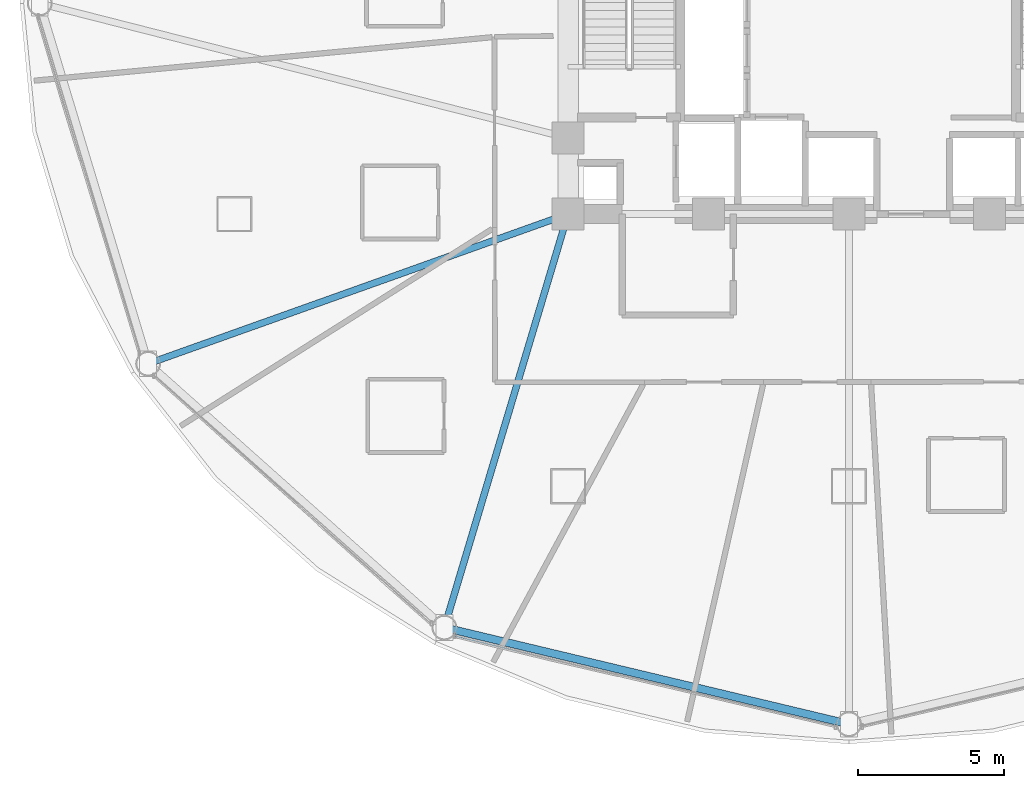
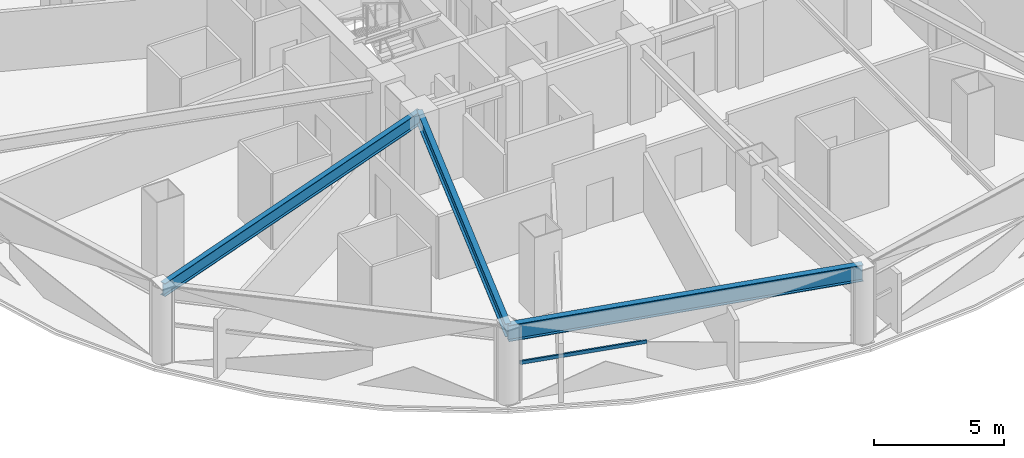
# One storey, part 3 of 33: 3 beams, 1 member, 1 element without a shape of its own.
"""IFC4 building model written with IfcOpenShell, lengths in metres."""

from ifc_helpers import new_model, si_unit, direction, frame, origin, origin_2d, place, context, subcontext, project, spatial, hollow_rectangle, i_section, extrude, material, layer, layer_set, material_profile, profile_set, type_object, element, aggregate, save


model = new_model("IFC4")

# Units and contexts
model_context = context("Model", 3, precision=1e-05, world=origin(), true_north=direction((0.0, 1.0)))
body_context = subcontext(model_context, "Body", "Model", "MODEL_VIEW")
ifc_project = project(units=[si_unit("LENGTHUNIT", "METRE"), si_unit("AREAUNIT", "SQUARE_METRE"), si_unit("VOLUMEUNIT", "CUBIC_METRE"), si_unit("PLANEANGLEUNIT", "RADIAN"), si_unit("MASSUNIT", "GRAM", prefix="KILO")], contexts=[model_context])

# Site, building, storey
site_placement = place(None, origin())
site = spatial("IfcSite", under=ifc_project, at=site_placement, CompositionType="ELEMENT")
building_placement = place(site_placement, origin())
building = spatial("IfcBuilding", under=site, at=building_placement, Name="Vantalir Tower", CompositionType="ELEMENT")
storey_placement = place(building_placement, frame((0.0, 0.0, 68.25)))
storey = spatial("IfcBuildingStorey", under=building, at=storey_placement, Name="L16", CompositionType="ELEMENT", Elevation=68.25)

# Beams
ifc_material_1 = material(Name="Steel S355", Category="steel")
ifc_material_profile_1 = material_profile(ifc_material_1, i_section(OverallWidth=0.22998046875, OverallDepth=0.616943359375, WebThickness=0.01318359375, FlangeThickness=0.022216796875, at=origin_2d()), Name="Steel S355")
ifc_profile_set_1 = profile_set([ifc_material_profile_1], Name="Steel S355")
beam_type_1 = type_object("IfcBeamType", Name="BM-RB-610x229", PredefinedType="BEAM", material=ifc_profile_set_1)
beam_1_placement = place(storey_placement, frame((7.553955078125, 12.68505859375, 3.261962890625), z_axis=(0.941919846836, 0.335837761629, 0.0), x_axis=(-0.335837761629, 0.941919846836, 0.0)))
element("IfcBeam", 1, at=beam_1_placement, inside=storey, type_object=beam_type_1, Name="L16 Radial Floor Beam 08", PredefinedType="BEAM", context=body_context, shape_type="SweptSolid", body=[
    extrude(i_section(OverallWidth=0.22998046875, OverallDepth=0.616943359375, WebThickness=0.01318359375, FlangeThickness=0.022216796875, at=origin_2d()), origin(), (0.0, 0.0, 1.0), 15.23046875),
])
beam_2_placement = place(storey_placement, frame((17.675048828125, 3.6708984375, 3.261962890625), z_axis=(0.28648356936, 0.958085155133, 0.0), x_axis=(-0.958085155133, 0.28648356936, 0.0)))
element("IfcBeam", 2, at=beam_2_placement, inside=storey, type_object=beam_type_1, Name="L16 Radial Floor Beam 09", PredefinedType="BEAM", context=body_context, shape_type="SweptSolid", body=[
    extrude(i_section(OverallWidth=0.22998046875, OverallDepth=0.616943359375, WebThickness=0.01318359375, FlangeThickness=0.022216796875, at=origin_2d()), origin(), (0.0, 0.0, 1.0), 14.747314453125),
])
ifc_material_2 = material(Name="Steel S460", Category="steel")
ifc_material_profile_2 = material_profile(ifc_material_2, i_section(OverallWidth=0.26806640625, OverallDepth=0.77001953125, WebThickness=0.015625, FlangeThickness=0.025390625, at=origin_2d()), Name="Steel S460")
ifc_profile_set_2 = profile_set([ifc_material_profile_2], Name="Steel S460")
beam_type_2 = type_object("IfcBeamType", Name="BM-RG-762x267", PredefinedType="USERDEFINED", material=ifc_profile_set_2)
beam_3_placement = place(storey_placement, frame((17.675048828125, 3.6708984375, 3.18505859375), z_axis=(0.972676867925, -0.232163112064, 0.0), x_axis=(0.232163112064, 0.972676867925, 0.0)))
element("IfcBeam", 3, at=beam_3_placement, inside=storey, type_object=beam_type_2, Name="L16 Circumferential Ring Girder 09", ObjectType="GIRDER", PredefinedType="USERDEFINED", context=body_context, shape_type="SweptSolid", body=[
    extrude(i_section(OverallWidth=0.26806640625, OverallDepth=0.77001953125, WebThickness=0.015625, FlangeThickness=0.025390625, at=origin_2d()), origin(), (0.0, 0.0, 1.0), 14.21337890625),
])

# Curtain wall, member
ifc_material_3 = material(Name="Champagne-silver PVDF aluminium and double-silver Low-E glass", Category="aluminium")
ifc_layer = layer(ifc_material_3, 0.18994140625)
ifc_layer_set = layer_set([ifc_layer], Name="Champagne-silver PVDF aluminium and double-silver Low-E glass")
curtain_wall_type = type_object("IfcCurtainWallType", Name="CW-DIAMOND-Z1", PredefinedType="USERDEFINED", material=ifc_layer_set)
curtain_wall_placement = place(storey_placement, origin())
curtain_wall = element("IfcCurtainWall", 4, at=curtain_wall_placement, inside=storey, type_object=curtain_wall_type, Name="L16 Quilted Pyramid-Diamond Curtain Wall S09", ObjectType="UNITISED CURTAIN WALL", PredefinedType="USERDEFINED")
ifc_material_4 = material(Name="Champagne-silver PVDF aluminium 6063-T6", Category="aluminium")
ifc_material_profile_3 = material_profile(ifc_material_4, hollow_rectangle(XDim=0.074951171875, YDim=0.159912109375, WallThickness=0.00390625, at=origin_2d()), Name="Champagne-silver PVDF aluminium 6063-T6")
ifc_profile_set_3 = profile_set([ifc_material_profile_3], Name="Champagne-silver PVDF aluminium 6063-T6")
member_type = type_object("IfcMemberType", Name="CWT-160x75", PredefinedType="USERDEFINED", material=ifc_profile_set_3)
member_placement = place(storey_placement, frame((18.037109375, 3.39697265625, 1.784912109375), z_axis=(0.971542738734, -0.236864321527, 0.0), x_axis=(0.236864321527, 0.971542738734, 0.0)))
member = element("IfcMember", 5, at=member_placement, type_object=member_type, Name="CW-L16-S09 Pyramid Fold Ridge Transom", ObjectType="TRANSOM", PredefinedType="USERDEFINED", context=body_context, shape_type="SweptSolid", body=[
    extrude(hollow_rectangle(XDim=0.074951171875, YDim=0.159912109375, WallThickness=0.00390625, at=origin_2d()), origin(), (0.0, 0.0, 1.0), 5.078369140625),
])
aggregate(curtain_wall, [member])

save(model, "model.ifc")
